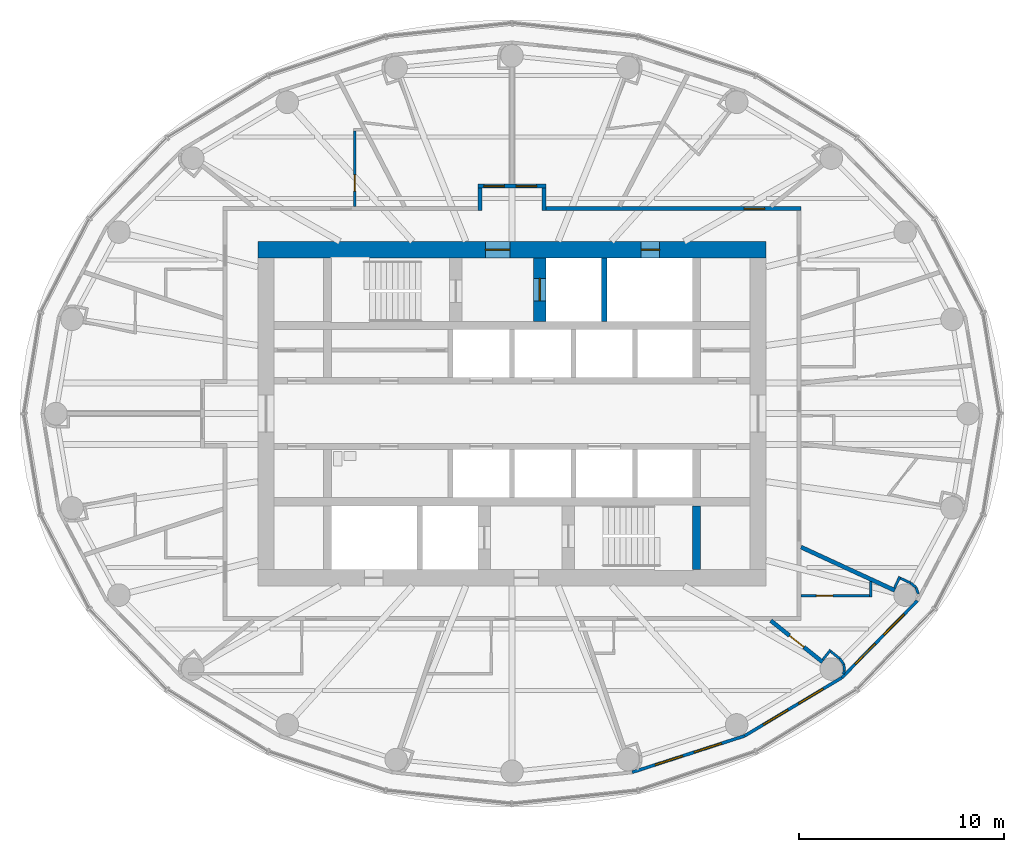
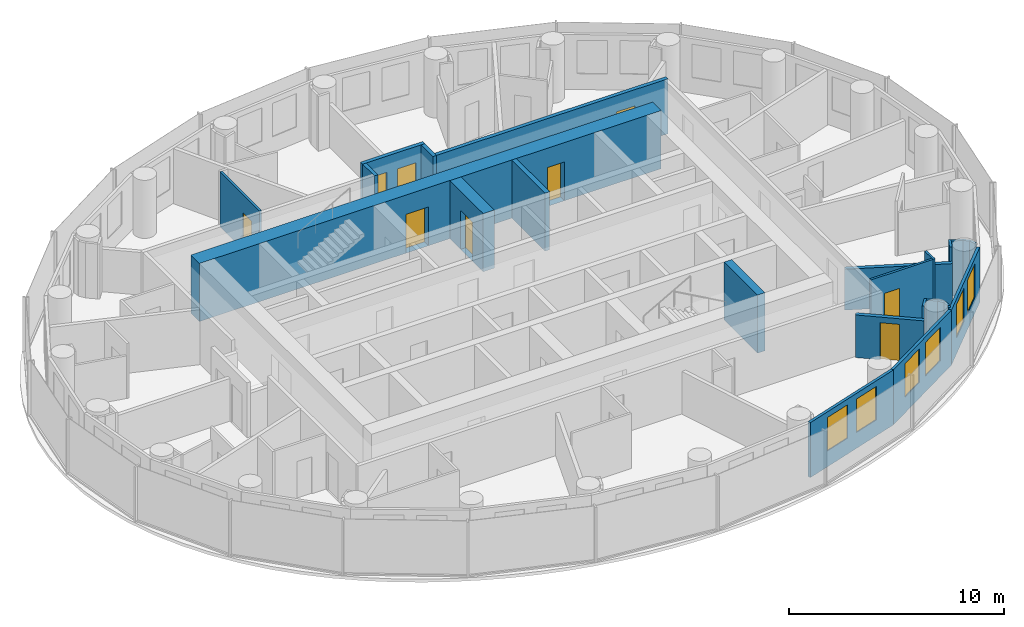
# One storey, part 10 of 16: 25 walls, 9 doors, 6 windows, 15 openings.
"""IFC4 building model written with IfcOpenShell, lengths in metres."""

from ifc_helpers import new_model, si_unit, direction, frame, frame_2d, origin, place, context, subcontext, project, spatial, rectangle, extrude, material, layer, layer_set, type_object, element, fill, save


model = new_model("IFC4")

# Units and contexts
model_context = context("Model", 3, precision=1e-05, world=origin(), true_north=direction((0.0, 1.0)))
body_context = subcontext(model_context, "Body", "Model", "MODEL_VIEW")
ifc_project = project(units=[si_unit("LENGTHUNIT", "METRE"), si_unit("AREAUNIT", "SQUARE_METRE"), si_unit("VOLUMEUNIT", "CUBIC_METRE"), si_unit("PLANEANGLEUNIT", "RADIAN"), si_unit("MASSUNIT", "GRAM", prefix="KILO")], contexts=[model_context])

# Site, building, storey
site_placement = place(None, origin())
site = spatial("IfcSite", under=ifc_project, at=site_placement, CompositionType="ELEMENT")
building_placement = place(site_placement, origin())
building = spatial("IfcBuilding", under=site, at=building_placement, Name="Hankou Lantern Tower", CompositionType="ELEMENT")
storey_placement = place(building_placement, frame((0.0, 0.0, 169.800048828125)))
storey = spatial("IfcBuildingStorey", under=building, at=storey_placement, Name="L45", CompositionType="ELEMENT", Elevation=169.800048828125)

# Wall, openings, doors
ifc_material_1 = material(Name="Concrete C60", Category="concrete")
ifc_layer_1 = layer(ifc_material_1, 0.800048828125)
ifc_layer_set_1 = layer_set([ifc_layer_1], Name="Concrete C60")
wall_type_1 = type_object("IfcWallType", Name="CW2 CORE WALL 800", PredefinedType="SHEAR", material=ifc_layer_set_1)
wall_1_placement = place(storey_placement, frame((-12.39990234375, 8.0, 0.0), z_axis=(0.0, 0.0, 1.0), x_axis=(1.0, 0.0, 0.0)))
wall_1 = element("IfcWall", 1, at=wall_1_placement, inside=storey, type_object=wall_type_1, Name="Core wall north L45", PredefinedType="SHEAR", context=body_context, shape_type="SweptSolid", body=[
    extrude(rectangle(XDim=24.7998046875, YDim=0.800048828125, at=frame_2d((12.39990234375, 0.0))), origin(), (0.0, 0.0, 1.0), 3.300048828125),
])
opening_1_placement = place(wall_1_placement, frame((11.10009765625, 0.0, 0.0)))
opening_1 = element("IfcOpeningElement", 2, at=opening_1_placement, cuts=wall_1, Name="Opening D5", PredefinedType="OPENING", context=body_context, shape_type="SweptSolid", body=[
    extrude(rectangle(XDim=1.199951171875, YDim=2.199951171875, at=frame_2d((0.60009765625, 1.10009765625))), frame((0.0, 0.409912109375, 0.0), z_axis=(0.0, -1.0, 0.0), x_axis=(1.0, 0.0, 0.0)), (0.0, 0.0, 1.0), 0.820068359375),
])
opening_2_placement = place(wall_1_placement, frame((18.699951171875, 0.0, 0.0)))
opening_2 = element("IfcOpeningElement", 3, at=opening_2_placement, cuts=wall_1, Name="Opening D7", PredefinedType="OPENING", context=body_context, shape_type="SweptSolid", body=[
    extrude(rectangle(XDim=0.89990234375, YDim=2.199951171875, at=frame_2d((0.449951171875, 1.10009765625))), frame((0.0, 0.409912109375, 0.0), z_axis=(0.0, -1.0, 0.0), x_axis=(1.0, 0.0, 0.0)), (0.0, 0.0, 1.0), 0.820068359375),
])
ifc_material_2 = material(Name="Steel door leaf", Category="steel")
door_type_1 = type_object("IfcDoorType", Name="D5 STAIR LOBBY DOOR 1200X2200", OperationType="SINGLE_SWING_LEFT", PredefinedType="DOOR", material=ifc_material_2)
door_1_placement = place(opening_1_placement, origin())
door_1 = element("IfcDoor", 4, at=door_1_placement, inside=storey, type_object=door_type_1, Name="Stair A lobby door", OperationType="SINGLE_SWING_LEFT", OverallHeight=2.199951171875, OverallWidth=1.199951171875, PredefinedType="DOOR", context=body_context, shape_type="SweptSolid", body=[
    extrude(rectangle(XDim=1.199951171875, YDim=2.199951171875, at=frame_2d((0.60009765625, 1.10009765625))), frame((0.0, 0.02490234375, 0.0), z_axis=(0.0, -1.0, 0.0), x_axis=(1.0, 0.0, 0.0)), (0.0, 0.0, 1.0), 0.050048828125),
])
fill(opening_1, door_1)
ifc_material_3 = material(Name="Steel door leaf", Category="steel")
door_type_2 = type_object("IfcDoorType", Name="D7 RISER DOOR 900X2200", OperationType="SINGLE_SWING_LEFT", PredefinedType="DOOR", material=ifc_material_3)
door_2_placement = place(opening_2_placement, origin())
door_2 = element("IfcDoor", 5, at=door_2_placement, inside=storey, type_object=door_type_2, Name="Riser N1 door", OperationType="SINGLE_SWING_RIGHT", OverallHeight=2.199951171875, OverallWidth=0.89990234375, PredefinedType="DOOR", context=body_context, shape_type="SweptSolid", body=[
    extrude(rectangle(XDim=0.89990234375, YDim=2.199951171875, at=frame_2d((0.449951171875, 1.10009765625))), frame((0.0, 0.02490234375, 0.0), z_axis=(0.0, -1.0, 0.0), x_axis=(1.0, 0.0, 0.0)), (0.0, 0.0, 1.0), 0.050048828125),
])
fill(opening_2, door_2)

# Wall
ifc_material_4 = material(Name="Concrete C60", Category="concrete")
ifc_layer_2 = layer(ifc_material_4, 0.39990234375)
ifc_layer_set_2 = layer_set([ifc_layer_2], Name="Concrete C60")
wall_type_2 = type_object("IfcWallType", Name="CW4 CORE CROSS WALL 400", PredefinedType="SHEAR", material=ifc_layer_set_2)
wall_2_placement = place(storey_placement, frame((9.0, -7.60009765625, 0.0), z_axis=(0.0, 0.0, 1.0), x_axis=(0.0, 1.0, 0.0)))
element("IfcWall", 6, at=wall_2_placement, inside=storey, type_object=wall_type_2, Name="Core strip wall L45", PredefinedType="SHEAR", context=body_context, shape_type="SweptSolid", body=[
    extrude(rectangle(XDim=3.10009765625, YDim=0.39990234375, at=frame_2d((1.550048828125, 0.0))), origin(), (0.0, 0.0, 1.0), 3.300048828125),
])

# Wall, opening, door
ifc_material_5 = material(Name="Concrete C60", Category="concrete")
ifc_layer_3 = layer(ifc_material_5, 0.60009765625)
ifc_layer_set_3 = layer_set([ifc_layer_3], Name="Concrete C60")
wall_type_3 = type_object("IfcWallType", Name="CW6 STAIR AND SHAFT WALL 600", PredefinedType="SHEAR", material=ifc_layer_set_3)
wall_3_placement = place(storey_placement, frame((1.35009765625, 4.5, 0.0), z_axis=(0.0, 0.0, 1.0), x_axis=(0.0, 1.0, 0.0)))
wall_3 = element("IfcWall", 7, at=wall_3_placement, inside=storey, type_object=wall_type_3, Name="Firefighting lift shaft wall L45", PredefinedType="SHEAR", context=body_context, shape_type="SweptSolid", body=[
    extrude(rectangle(XDim=3.10009765625, YDim=0.60009765625, at=frame_2d((1.550048828125, 0.0))), origin(), (0.0, 0.0, 1.0), 3.300048828125),
])
opening_3_placement = place(wall_3_placement, frame((1.0, 0.0, 0.0)))
opening_3 = element("IfcOpeningElement", 8, at=opening_3_placement, cuts=wall_3, Name="Opening LD2", PredefinedType="OPENING", context=body_context, shape_type="SweptSolid", body=[
    extrude(rectangle(XDim=1.10009765625, YDim=2.199951171875, at=frame_2d((0.550048828125, 1.10009765625))), frame((0.0, 0.31005859375, 0.0), z_axis=(0.0, -1.0, 0.0), x_axis=(1.0, 0.0, 0.0)), (0.0, 0.0, 1.0), 0.6201171875),
])
ifc_material_6 = material(Name="Steel door leaf", Category="steel")
door_type_3 = type_object("IfcDoorType", Name="LD2 FIREFIGHTING LIFT LANDING DOOR 1100X2200", OperationType="DOUBLE_DOOR_SLIDING", PredefinedType="DOOR", material=ifc_material_6)
door_3_placement = place(opening_3_placement, origin())
door_3 = element("IfcDoor", 9, at=door_3_placement, inside=storey, type_object=door_type_3, Name="Firefighting lift FL1 landing door", OperationType="DOUBLE_DOOR_SLIDING", OverallHeight=2.199951171875, OverallWidth=1.10009765625, PredefinedType="DOOR", context=body_context, shape_type="SweptSolid", body=[
    extrude(rectangle(XDim=1.10009765625, YDim=2.199951171875, at=frame_2d((0.550048828125, 1.10009765625))), frame((0.0, 0.02490234375, 0.0), z_axis=(0.0, -1.0, 0.0), x_axis=(1.0, 0.0, 0.0)), (0.0, 0.0, 1.0), 0.050048828125),
])
fill(opening_3, door_3)

# Wall, openings, windows
ifc_material_7 = material(Name="Aluminium spandrel panel on steel studs", Category="steel")
ifc_layer_4 = layer(ifc_material_7, 0.14990234375)
ifc_layer_set_4 = layer_set([ifc_layer_4], Name="Aluminium spandrel panel on steel studs")
wall_type_4 = type_object("IfcWallType", Name="EW1 INNER SKIN WALL 150", PredefinedType="ELEMENTEDWALL", material=ifc_layer_set_4)
wall_4_placement = place(storey_placement, frame((5.8603515625, -17.497314453125, 0.0), z_axis=(0.0, 0.0, 1.0), x_axis=(0.951432482129, 0.307857486429, 0.0)))
wall_4 = element("IfcWall", 10, at=wall_4_placement, inside=storey, type_object=wall_type_4, Name="Inner skin R20-R21 L45", PredefinedType="ELEMENTEDWALL", context=body_context, shape_type="SweptSolid", body=[
    extrude(rectangle(XDim=5.76611328125, YDim=0.14990234375, at=frame_2d((2.883056640625, 0.0))), origin(), (0.0, 0.0, 1.0), 3.119873046875),
])
opening_4_placement = place(wall_4_placement, frame((1.18310546875, 0.0, 0.89990234375)))
opening_4 = element("IfcOpeningElement", 11, at=opening_4_placement, cuts=wall_4, Name="Opening W3", PredefinedType="OPENING", context=body_context, shape_type="SweptSolid", body=[
    extrude(rectangle(XDim=1.39990234375, YDim=1.89990234375, at=frame_2d((0.699951171875, 0.949951171875))), frame((0.0, 0.0849609375, 0.0), z_axis=(0.0, -1.0, 0.0), x_axis=(1.0, 0.0, 0.0)), (0.0, 0.0, 1.0), 0.169921875),
])
opening_5_placement = place(wall_4_placement, frame((3.18310546875, 0.0, 0.89990234375)))
opening_5 = element("IfcOpeningElement", 12, at=opening_5_placement, cuts=wall_4, Name="Opening W3", PredefinedType="OPENING", context=body_context, shape_type="SweptSolid", body=[
    extrude(rectangle(XDim=1.39990234375, YDim=1.89990234375, at=frame_2d((0.699951171875, 0.949951171875))), frame((0.0, 0.0849609375, 0.0), z_axis=(0.0, -1.0, 0.0), x_axis=(1.0, 0.0, 0.0)), (0.0, 0.0, 1.0), 0.169921875),
])
ifc_material_8 = material(Name="Aluminium framed double glazed window", Category="aluminium")
window_type = type_object("IfcWindowType", Name="W3 GUEST ROOM WINDOW 1400X1900", PartitioningType="DOUBLE_PANEL_VERTICAL", PredefinedType="WINDOW", material=ifc_material_8)
window_1_placement = place(opening_4_placement, origin())
window_1 = element("IfcWindow", 13, at=window_1_placement, inside=storey, type_object=window_type, Name="Window R20.1 L45", OverallHeight=1.89990234375, OverallWidth=1.39990234375, PartitioningType="SINGLE_PANEL", PredefinedType="WINDOW", context=body_context, shape_type="SweptSolid", body=[
    extrude(rectangle(XDim=1.39990234375, YDim=1.89990234375, at=frame_2d((0.699951171875, 0.949951171875))), frame((0.0, 0.030029296875, 0.0), z_axis=(0.0, -1.0, 0.0), x_axis=(1.0, 0.0, 0.0)), (0.0, 0.0, 1.0), 0.06005859375),
])
fill(opening_4, window_1)
window_2_placement = place(opening_5_placement, origin())
window_2 = element("IfcWindow", 14, at=window_2_placement, inside=storey, type_object=window_type, Name="Window R20.2 L45", OverallHeight=1.89990234375, OverallWidth=1.39990234375, PartitioningType="SINGLE_PANEL", PredefinedType="WINDOW", context=body_context, shape_type="SweptSolid", body=[
    extrude(rectangle(XDim=1.39990234375, YDim=1.89990234375, at=frame_2d((0.699951171875, 0.949951171875))), frame((0.0, 0.030029296875, 0.0), z_axis=(0.0, -1.0, 0.0), x_axis=(1.0, 0.0, 0.0)), (0.0, 0.0, 1.0), 0.06005859375),
])
fill(opening_5, window_2)

wall_5_placement = place(storey_placement, frame((11.346435546875, -15.72216796875, 0.0), z_axis=(0.0, 0.0, 1.0), x_axis=(0.857695199231, 0.514158482587, 0.0)))
wall_5 = element("IfcWall", 15, at=wall_5_placement, inside=storey, type_object=wall_type_4, Name="Inner skin R21-R22 L45", PredefinedType="ELEMENTEDWALL", context=body_context, shape_type="SweptSolid", body=[
    extrude(rectangle(XDim=5.5361328125, YDim=0.14990234375, at=frame_2d((2.76806640625, 0.0))), origin(), (0.0, 0.0, 1.0), 3.119873046875),
])
opening_6_placement = place(wall_5_placement, frame((1.068115234375, 0.0, 0.89990234375)))
opening_6 = element("IfcOpeningElement", 16, at=opening_6_placement, cuts=wall_5, Name="Opening W3", PredefinedType="OPENING", context=body_context, shape_type="SweptSolid", body=[
    extrude(rectangle(XDim=1.39990234375, YDim=1.89990234375, at=frame_2d((0.699951171875, 0.949951171875))), frame((0.0, 0.0849609375, 0.0), z_axis=(0.0, -1.0, 0.0), x_axis=(1.0, 0.0, 0.0)), (0.0, 0.0, 1.0), 0.169921875),
])
opening_7_placement = place(wall_5_placement, frame((3.068115234375, 0.0, 0.89990234375)))
opening_7 = element("IfcOpeningElement", 17, at=opening_7_placement, cuts=wall_5, Name="Opening W3", PredefinedType="OPENING", context=body_context, shape_type="SweptSolid", body=[
    extrude(rectangle(XDim=1.39990234375, YDim=1.89990234375, at=frame_2d((0.699951171875, 0.949951171875))), frame((0.0, 0.0849609375, 0.0), z_axis=(0.0, -1.0, 0.0), x_axis=(1.0, 0.0, 0.0)), (0.0, 0.0, 1.0), 0.169921875),
])
window_3_placement = place(opening_6_placement, origin())
window_3 = element("IfcWindow", 18, at=window_3_placement, inside=storey, type_object=window_type, Name="Window R21.1 L45", OverallHeight=1.89990234375, OverallWidth=1.39990234375, PartitioningType="SINGLE_PANEL", PredefinedType="WINDOW", context=body_context, shape_type="SweptSolid", body=[
    extrude(rectangle(XDim=1.39990234375, YDim=1.89990234375, at=frame_2d((0.699951171875, 0.949951171875))), frame((0.0, 0.030029296875, 0.0), z_axis=(0.0, -1.0, 0.0), x_axis=(1.0, 0.0, 0.0)), (0.0, 0.0, 1.0), 0.06005859375),
])
fill(opening_6, window_3)
window_4_placement = place(opening_7_placement, origin())
window_4 = element("IfcWindow", 19, at=window_4_placement, inside=storey, type_object=window_type, Name="Window R21.2 L45", OverallHeight=1.89990234375, OverallWidth=1.39990234375, PartitioningType="SINGLE_PANEL", PredefinedType="WINDOW", context=body_context, shape_type="SweptSolid", body=[
    extrude(rectangle(XDim=1.39990234375, YDim=1.89990234375, at=frame_2d((0.699951171875, 0.949951171875))), frame((0.0, 0.030029296875, 0.0), z_axis=(0.0, -1.0, 0.0), x_axis=(1.0, 0.0, 0.0)), (0.0, 0.0, 1.0), 0.06005859375),
])
fill(opening_7, window_4)

wall_6_placement = place(storey_placement, frame((16.0947265625, -12.875732421875, 0.0), z_axis=(0.0, 0.0, 1.0), x_axis=(0.700727467776, 0.71342905457, 0.0)))
wall_6 = element("IfcWall", 20, at=wall_6_placement, inside=storey, type_object=wall_type_4, Name="Inner skin R22-R23 L45", PredefinedType="ELEMENTEDWALL", context=body_context, shape_type="SweptSolid", body=[
    extrude(rectangle(XDim=5.247314453125, YDim=0.14990234375, at=frame_2d((2.62353515625, 0.0))), origin(), (0.0, 0.0, 1.0), 3.119873046875),
])
opening_8_placement = place(wall_6_placement, frame((0.923583984375, 0.0, 0.89990234375)))
opening_8 = element("IfcOpeningElement", 21, at=opening_8_placement, cuts=wall_6, Name="Opening W3", PredefinedType="OPENING", context=body_context, shape_type="SweptSolid", body=[
    extrude(rectangle(XDim=1.39990234375, YDim=1.89990234375, at=frame_2d((0.699951171875, 0.949951171875))), frame((0.0, 0.0849609375, 0.0), z_axis=(0.0, -1.0, 0.0), x_axis=(1.0, 0.0, 0.0)), (0.0, 0.0, 1.0), 0.169921875),
])
opening_9_placement = place(wall_6_placement, frame((2.923583984375, 0.0, 0.89990234375)))
opening_9 = element("IfcOpeningElement", 22, at=opening_9_placement, cuts=wall_6, Name="Opening W3", PredefinedType="OPENING", context=body_context, shape_type="SweptSolid", body=[
    extrude(rectangle(XDim=1.39990234375, YDim=1.89990234375, at=frame_2d((0.699951171875, 0.949951171875))), frame((0.0, 0.0849609375, 0.0), z_axis=(0.0, -1.0, 0.0), x_axis=(1.0, 0.0, 0.0)), (0.0, 0.0, 1.0), 0.169921875),
])
window_5_placement = place(opening_8_placement, origin())
window_5 = element("IfcWindow", 23, at=window_5_placement, inside=storey, type_object=window_type, Name="Window R22.1 L45", OverallHeight=1.89990234375, OverallWidth=1.39990234375, PartitioningType="SINGLE_PANEL", PredefinedType="WINDOW", context=body_context, shape_type="SweptSolid", body=[
    extrude(rectangle(XDim=1.39990234375, YDim=1.89990234375, at=frame_2d((0.699951171875, 0.949951171875))), frame((0.0, 0.030029296875, 0.0), z_axis=(0.0, -1.0, 0.0), x_axis=(1.0, 0.0, 0.0)), (0.0, 0.0, 1.0), 0.06005859375),
])
fill(opening_8, window_5)
window_6_placement = place(opening_9_placement, origin())
window_6 = element("IfcWindow", 24, at=window_6_placement, inside=storey, type_object=window_type, Name="Window R22.2 L45", OverallHeight=1.89990234375, OverallWidth=1.39990234375, PartitioningType="SINGLE_PANEL", PredefinedType="WINDOW", context=body_context, shape_type="SweptSolid", body=[
    extrude(rectangle(XDim=1.39990234375, YDim=1.89990234375, at=frame_2d((0.699951171875, 0.949951171875))), frame((0.0, 0.030029296875, 0.0), z_axis=(0.0, -1.0, 0.0), x_axis=(1.0, 0.0, 0.0)), (0.0, 0.0, 1.0), 0.06005859375),
])
fill(opening_9, window_6)

# Wall
ifc_material_9 = material(Name="Masonry lightweight concrete block", Category="masonry")
ifc_layer_5 = layer(ifc_material_9, 0.199951171875)
ifc_layer_set_5 = layer_set([ifc_layer_5], Name="Masonry lightweight concrete block")
wall_type_5 = type_object("IfcWallType", Name="IW1 GUEST ROOM PARTY WALL 200", PredefinedType="PARTITIONING", material=ifc_layer_set_5)
wall_7_placement = place(storey_placement, frame((14.10009765625, -6.512451171875, 0.0), z_axis=(0.0, 0.0, 1.0), x_axis=(0.907823150669, -0.419353224751, 0.0)))
element("IfcWall", 25, at=wall_7_placement, inside=storey, type_object=wall_type_5, Name="Party wall R23", PredefinedType="PARTITIONING", context=body_context, shape_type="SweptSolid", body=[
    extrude(rectangle(XDim=5.037109375, YDim=0.199951171875, at=frame_2d((2.5185546875, 0.0))), origin(), (0.0, 0.0, 1.0), 2.320068359375),
])

# Wall, openings, doors
ifc_material_10 = material(Name="Masonry lightweight concrete block", Category="masonry")
ifc_layer_6 = layer(ifc_material_10, 0.199951171875)
ifc_layer_set_6 = layer_set([ifc_layer_6], Name="Masonry lightweight concrete block")
wall_type_6 = type_object("IfcWallType", Name="IW2 CORRIDOR WALL 200", PredefinedType="PARTITIONING", material=ifc_layer_set_6)
wall_8_placement = place(storey_placement, frame((-1.669921875, 11.10009765625, 0.0), z_axis=(0.0, 0.0, 1.0), x_axis=(1.0, 0.0, 0.0)))
wall_8 = element("IfcWall", 26, at=wall_8_placement, inside=storey, type_object=wall_type_6, Name="Corridor alcove wall 4508-4509 back", PredefinedType="PARTITIONING", context=body_context, shape_type="SweptSolid", body=[
    extrude(rectangle(XDim=3.33984375, YDim=0.199951171875, at=frame_2d((1.669921875, 0.0))), origin(), (0.0, 0.0, 1.0), 3.119873046875),
])
opening_10_placement = place(wall_8_placement, frame((1.8701171875, 0.0, 0.0)))
opening_10 = element("IfcOpeningElement", 27, at=opening_10_placement, cuts=wall_8, Name="Opening D1", PredefinedType="OPENING", context=body_context, shape_type="SweptSolid", body=[
    extrude(rectangle(XDim=1.0, YDim=2.199951171875, at=frame_2d((0.5, 1.10009765625))), frame((0.0, 0.10986328125, 0.0), z_axis=(0.0, -1.0, 0.0), x_axis=(1.0, 0.0, 0.0)), (0.0, 0.0, 1.0), 0.219970703125),
])
opening_11_placement = place(wall_8_placement, frame((0.300048828125, 0.0, 0.0)))
opening_11 = element("IfcOpeningElement", 28, at=opening_11_placement, cuts=wall_8, Name="Opening D1", PredefinedType="OPENING", context=body_context, shape_type="SweptSolid", body=[
    extrude(rectangle(XDim=1.0, YDim=2.199951171875, at=frame_2d((0.5, 1.10009765625))), frame((0.0, 0.10986328125, 0.0), z_axis=(0.0, -1.0, 0.0), x_axis=(1.0, 0.0, 0.0)), (0.0, 0.0, 1.0), 0.219970703125),
])
ifc_material_11 = material(Name="Steel door leaf", Category="steel")
door_type_4 = type_object("IfcDoorType", Name="D1 GUEST ROOM DOOR 1000X2200", OperationType="SINGLE_SWING_LEFT", PredefinedType="DOOR", material=ifc_material_11)
door_4_placement = place(opening_10_placement, origin())
door_4 = element("IfcDoor", 29, at=door_4_placement, inside=storey, type_object=door_type_4, Name="Guest room door 4508", OperationType="SINGLE_SWING_LEFT", OverallHeight=2.199951171875, OverallWidth=1.0, PredefinedType="DOOR", context=body_context, shape_type="SweptSolid", body=[
    extrude(rectangle(XDim=1.0, YDim=2.199951171875, at=frame_2d((0.5, 1.10009765625))), frame((0.0, 0.02490234375, 0.0), z_axis=(0.0, -1.0, 0.0), x_axis=(1.0, 0.0, 0.0)), (0.0, 0.0, 1.0), 0.050048828125),
])
fill(opening_10, door_4)
door_5_placement = place(opening_11_placement, origin())
door_5 = element("IfcDoor", 30, at=door_5_placement, inside=storey, type_object=door_type_4, Name="Guest room door 4509", OperationType="SINGLE_SWING_RIGHT", OverallHeight=2.199951171875, OverallWidth=1.0, PredefinedType="DOOR", context=body_context, shape_type="SweptSolid", body=[
    extrude(rectangle(XDim=1.0, YDim=2.199951171875, at=frame_2d((0.5, 1.10009765625))), frame((0.0, 0.02490234375, 0.0), z_axis=(0.0, -1.0, 0.0), x_axis=(1.0, 0.0, 0.0)), (0.0, 0.0, 1.0), 0.050048828125),
])
fill(opening_11, door_5)

# Walls
for number, where, z_axis, x_axis, name in (
    (31, (-1.570068359375, 9.89990234375, 0.0), (0.0, 0.0, 1.0), (0.0, 1.0, 0.0), "Corridor alcove wall 4508-4509 left"),
    (32, (1.570068359375, 9.89990234375, 0.0), (0.0, 0.0, 1.0), (0.0, 1.0, 0.0), "Corridor alcove wall 4508-4509 right"),
):
    element("IfcWall", number, at=place(storey_placement, frame(where, z_axis=z_axis, x_axis=x_axis)), inside=storey, type_object=wall_type_6, Name=name, PredefinedType="PARTITIONING", context=body_context, shape_type="SweptSolid", body=[
        extrude(rectangle(XDim=1.10009765625, YDim=0.199951171875, at=frame_2d((0.550048828125, 0.0))), origin(), (0.0, 0.0, 1.0), 3.119873046875),
    ])

# Wall, opening, door
wall_9_placement = place(storey_placement, frame((1.669921875, 10.0, 0.0), z_axis=(0.0, 0.0, 1.0), x_axis=(1.0, 0.0, 0.0)))
wall_9 = element("IfcWall", 33, at=wall_9_placement, inside=storey, type_object=wall_type_6, Name="Corridor wall north", PredefinedType="PARTITIONING", context=body_context, shape_type="SweptSolid", body=[
    extrude(rectangle(XDim=12.43017578125, YDim=0.199951171875, at=frame_2d((6.215087890625, 0.0))), origin(), (0.0, 0.0, 1.0), 3.119873046875),
])
opening_12_placement = place(wall_9_placement, frame((9.655029296875, 0.0, 0.0)))
opening_12 = element("IfcOpeningElement", 34, at=opening_12_placement, cuts=wall_9, Name="Opening D1", PredefinedType="OPENING", context=body_context, shape_type="SweptSolid", body=[
    extrude(rectangle(XDim=1.0, YDim=2.199951171875, at=frame_2d((0.5, 1.10009765625))), frame((0.0, 0.10986328125, 0.0), z_axis=(0.0, -1.0, 0.0), x_axis=(1.0, 0.0, 0.0)), (0.0, 0.0, 1.0), 0.219970703125),
])
door_6_placement = place(opening_12_placement, origin())
door_6 = element("IfcDoor", 35, at=door_6_placement, inside=storey, type_object=door_type_4, Name="Guest room door 4507", OperationType="SINGLE_SWING_LEFT", OverallHeight=2.199951171875, OverallWidth=1.0, PredefinedType="DOOR", context=body_context, shape_type="SweptSolid", body=[
    extrude(rectangle(XDim=1.0, YDim=2.199951171875, at=frame_2d((0.5, 1.10009765625))), frame((0.0, 0.02490234375, 0.0), z_axis=(0.0, -1.0, 0.0), x_axis=(1.0, 0.0, 0.0)), (0.0, 0.0, 1.0), 0.050048828125),
])
fill(opening_12, door_6)

# Wall
ifc_material_12 = material(Name="Masonry lightweight concrete block", Category="masonry")
ifc_layer_7 = layer(ifc_material_12, 0.1201171875)
ifc_layer_set_7 = layer_set([ifc_layer_7], Name="Masonry lightweight concrete block")
wall_type_7 = type_object("IfcWallType", Name="IW3 BATHROOM WALL 120", PredefinedType="PARTITIONING", material=ifc_layer_set_7)
wall_10_placement = place(storey_placement, frame((17.5, -8.182861328125, 0.0), z_axis=(0.0, 0.0, 1.0), x_axis=(0.0, -1.0, 0.0)))
element("IfcWall", 36, at=wall_10_placement, inside=storey, type_object=wall_type_7, Name="Box wall 4503A 1", PredefinedType="PARTITIONING", context=body_context, shape_type="SweptSolid", body=[
    extrude(rectangle(XDim=0.76953125, YDim=0.1201171875, at=frame_2d((0.384765625, 0.0))), origin(), (0.0, 0.0, 1.0), 3.119873046875),
])

# Wall, opening, door
wall_11_placement = place(storey_placement, frame((14.10009765625, -8.892578125, 0.0), z_axis=(0.0, 0.0, 1.0), x_axis=(1.0, 0.0, 0.0)))
wall_11 = element("IfcWall", 37, at=wall_11_placement, inside=storey, type_object=wall_type_7, Name="Box wall 4503A 1", PredefinedType="PARTITIONING", context=body_context, shape_type="SweptSolid", body=[
    extrude(rectangle(XDim=3.33984375, YDim=0.1201171875, at=frame_2d((1.669921875, 0.0))), origin(), (0.0, 0.0, 1.0), 3.119873046875),
])
opening_13_placement = place(wall_11_placement, frame((0.75, 0.0, 0.0)))
opening_13 = element("IfcOpeningElement", 38, at=opening_13_placement, cuts=wall_11, Name="Opening D3", PredefinedType="OPENING", context=body_context, shape_type="SweptSolid", body=[
    extrude(rectangle(XDim=0.800048828125, YDim=2.10009765625, at=frame_2d((0.39990234375, 1.050048828125))), frame((0.0, 0.070068359375, 0.0), z_axis=(0.0, -1.0, 0.0), x_axis=(1.0, 0.0, 0.0)), (0.0, 0.0, 1.0), 0.14013671875),
])
ifc_material_13 = material(Name="Timber door leaf", Category="wood")
door_type_5 = type_object("IfcDoorType", Name="D3 BATHROOM DOOR 800X2100", OperationType="SINGLE_SWING_LEFT", PredefinedType="DOOR", material=ifc_material_13)
door_7_placement = place(opening_13_placement, origin())
door_7 = element("IfcDoor", 39, at=door_7_placement, inside=storey, type_object=door_type_5, Name="Corner suite 4503 bathroom door", OperationType="SINGLE_SWING_LEFT", OverallHeight=2.10009765625, OverallWidth=0.800048828125, PredefinedType="DOOR", context=body_context, shape_type="SweptSolid", body=[
    extrude(rectangle(XDim=0.800048828125, YDim=2.10009765625, at=frame_2d((0.39990234375, 1.050048828125))), frame((0.0, 0.02490234375, 0.0), z_axis=(0.0, -1.0, 0.0), x_axis=(1.0, 0.0, 0.0)), (0.0, 0.0, 1.0), 0.050048828125),
])
fill(opening_13, door_7)

wall_12_placement = place(storey_placement, frame((-7.670166015625, 10.10009765625, 0.0), z_axis=(0.0, 0.0, 1.0), x_axis=(0.0, 1.0, 0.0)))
wall_12 = element("IfcWall", 40, at=wall_12_placement, inside=storey, type_object=wall_type_7, Name="Box wall 4510 1", PredefinedType="PARTITIONING", context=body_context, shape_type="SweptSolid", body=[
    extrude(rectangle(XDim=3.68994140625, YDim=0.1201171875, at=frame_2d((1.844970703125, 0.0))), origin(), (0.0, 0.0, 1.0), 3.119873046875),
])
opening_14_placement = place(wall_12_placement, frame((0.75, 0.0, 0.0)))
opening_14 = element("IfcOpeningElement", 41, at=opening_14_placement, cuts=wall_12, Name="Opening D3", PredefinedType="OPENING", context=body_context, shape_type="SweptSolid", body=[
    extrude(rectangle(XDim=0.800048828125, YDim=2.10009765625, at=frame_2d((0.39990234375, 1.050048828125))), frame((0.0, 0.070068359375, 0.0), z_axis=(0.0, -1.0, 0.0), x_axis=(1.0, 0.0, 0.0)), (0.0, 0.0, 1.0), 0.14013671875),
])
door_8_placement = place(opening_14_placement, origin())
door_8 = element("IfcDoor", 42, at=door_8_placement, inside=storey, type_object=door_type_5, Name="En-suite bathroom 4510 door", OperationType="SINGLE_SWING_LEFT", OverallHeight=2.10009765625, OverallWidth=0.800048828125, PredefinedType="DOOR", context=body_context, shape_type="SweptSolid", body=[
    extrude(rectangle(XDim=0.800048828125, YDim=2.10009765625, at=frame_2d((0.39990234375, 1.050048828125))), frame((0.0, 0.02490234375, 0.0), z_axis=(0.0, -1.0, 0.0), x_axis=(1.0, 0.0, 0.0)), (0.0, 0.0, 1.0), 0.050048828125),
])
fill(opening_14, door_8)

# Walls
ifc_material_14 = material(Name="Masonry lightweight concrete block", Category="masonry")
ifc_layer_8 = layer(ifc_material_14, 0.1201171875)
ifc_layer_set_8 = layer_set([ifc_layer_8], Name="Masonry lightweight concrete block")
wall_type_8 = type_object("IfcWallType", Name="IW4 PARTITION 120", PredefinedType="PARTITIONING", material=ifc_layer_set_8)
wall_13_placement = place(storey_placement, frame((15.162353515625, -12.001708984375, 0.0), z_axis=(0.0, 0.0, 1.0), x_axis=(0.624597762427, 0.780946627607, 0.0)))
element("IfcWall", 43, at=wall_13_placement, inside=storey, type_object=wall_type_8, Name="Column casing R22 return", PredefinedType="PARTITIONING", context=body_context, shape_type="SweptSolid", body=[
    extrude(rectangle(XDim=0.612060546875, YDim=0.1201171875, at=frame_2d((0.30615234375, 0.0))), origin(), (0.0, 0.0, 1.0), 3.119873046875),
])
wall_14_placement = place(storey_placement, frame((15.55419921875, -11.60791015625, 0.0), z_axis=(0.0, 0.0, 1.0), x_axis=(0.780695577787, -0.624911525597, 0.0)))
element("IfcWall", 44, at=wall_14_placement, inside=storey, type_object=wall_type_8, Name="Column casing R22", PredefinedType="PARTITIONING", context=body_context, shape_type="SweptSolid", body=[
    extrude(rectangle(XDim=0.550048828125, YDim=0.1201171875, at=frame_2d((0.27490234375, 0.0))), origin(), (0.0, 0.0, 1.0), 3.119873046875),
])
wall_15_placement = place(storey_placement, frame((15.983642578125, -11.95166015625, 0.0), z_axis=(0.0, 0.0, 1.0), x_axis=(0.592335221171, -0.805691619517, 0.0)))
element("IfcWall", 45, at=wall_15_placement, inside=storey, type_object=wall_type_8, Name="Column casing R22", PredefinedType="PARTITIONING", context=body_context, shape_type="SweptSolid", body=[
    extrude(rectangle(XDim=0.337646484375, YDim=0.1201171875, at=frame_2d((0.1689453125, 0.0))), origin(), (0.0, 0.0, 1.0), 3.119873046875),
])
wall_16_placement = place(storey_placement, frame((16.18359375, -12.2236328125, 0.0), z_axis=(0.0, 0.0, 1.0), x_axis=(0.110669692975, -0.993857242795, 0.0)))
element("IfcWall", 46, at=wall_16_placement, inside=storey, type_object=wall_type_8, Name="Column casing R22", PredefinedType="PARTITIONING", context=body_context, shape_type="SweptSolid", body=[
    extrude(rectangle(XDim=0.33740234375, YDim=0.1201171875, at=frame_2d((0.168701171875, 0.0))), origin(), (0.0, 0.0, 1.0), 3.119873046875),
])
wall_17_placement = place(storey_placement, frame((16.220947265625, -12.55908203125, 0.0), z_axis=(0.0, 0.0, 1.0), x_axis=(-0.401064416249, -0.916049853457, 0.0)))
element("IfcWall", 47, at=wall_17_placement, inside=storey, type_object=wall_type_8, Name="Column casing R22", PredefinedType="PARTITIONING", context=body_context, shape_type="SweptSolid", body=[
    extrude(rectangle(XDim=0.156494140625, YDim=0.1201171875, at=frame_2d((0.078125, 0.0))), origin(), (0.0, 0.0, 1.0), 3.119873046875),
])
wall_18_placement = place(storey_placement, frame((18.660400390625, -8.5087890625, 0.0), z_axis=(0.0, 0.0, 1.0), x_axis=(0.419083463716, 0.907947713494, 0.0)))
element("IfcWall", 48, at=wall_18_placement, inside=storey, type_object=wall_type_8, Name="Column casing R23 return", PredefinedType="PARTITIONING", context=body_context, shape_type="SweptSolid", body=[
    extrude(rectangle(XDim=0.6123046875, YDim=0.1201171875, at=frame_2d((0.30615234375, 0.0))), origin(), (0.0, 0.0, 1.0), 3.119873046875),
])
wall_19_placement = place(storey_placement, frame((18.9462890625, -8.032470703125, 0.0), z_axis=(0.0, 0.0, 1.0), x_axis=(0.907842467956, -0.419311403822, 0.0)))
element("IfcWall", 49, at=wall_19_placement, inside=storey, type_object=wall_type_8, Name="Column casing R23", PredefinedType="PARTITIONING", context=body_context, shape_type="SweptSolid", body=[
    extrude(rectangle(XDim=0.55029296875, YDim=0.1201171875, at=frame_2d((0.275146484375, 0.0))), origin(), (0.0, 0.0, 1.0), 3.119873046875),
])
wall_20_placement = place(storey_placement, frame((19.44580078125, -8.26318359375, 0.0), z_axis=(0.0, 0.0, 1.0), x_axis=(0.768221279597, -0.640184399664, 0.0)))
element("IfcWall", 50, at=wall_20_placement, inside=storey, type_object=wall_type_8, Name="Column casing R23", PredefinedType="PARTITIONING", context=body_context, shape_type="SweptSolid", body=[
    extrude(rectangle(XDim=0.33740234375, YDim=0.1201171875, at=frame_2d((0.168701171875, 0.0))), origin(), (0.0, 0.0, 1.0), 3.119873046875),
])
wall_21_placement = place(storey_placement, frame((19.705078125, -8.479248046875, 0.0), z_axis=(0.0, 0.0, 1.0), x_axis=(0.345571344575, -0.938392479621, 0.0)))
element("IfcWall", 51, at=wall_21_placement, inside=storey, type_object=wall_type_8, Name="Column casing R23", PredefinedType="PARTITIONING", context=body_context, shape_type="SweptSolid", body=[
    extrude(rectangle(XDim=0.337646484375, YDim=0.1201171875, at=frame_2d((0.1689453125, 0.0))), origin(), (0.0, 0.0, 1.0), 3.119873046875),
])

# Wall, opening, door
ifc_material_15 = material(Name="Masonry lightweight concrete block", Category="masonry")
ifc_layer_9 = layer(ifc_material_15, 0.199951171875)
ifc_layer_set_9 = layer_set([ifc_layer_9], Name="Masonry lightweight concrete block")
wall_type_9 = type_object("IfcWallType", Name="IW6 SUITE PARTITION 200", PredefinedType="PARTITIONING", material=ifc_layer_set_9)
wall_22_placement = place(storey_placement, frame((12.625, -10.10009765625, 0.0), z_axis=(0.0, 0.0, 1.0), x_axis=(0.780876185034, -0.624685827954, 0.0)))
wall_22 = element("IfcWall", 52, at=wall_22_placement, inside=storey, type_object=wall_type_9, Name="Suite partition R22", PredefinedType="PARTITIONING", context=body_context, shape_type="SweptSolid", body=[
    extrude(rectangle(XDim=3.229248046875, YDim=0.199951171875, at=frame_2d((1.61474609375, 0.0))), origin(), (0.0, 0.0, 1.0), 2.419921875),
])
opening_15_placement = place(wall_22_placement, frame((1.169921875, 0.0, 0.0)))
opening_15 = element("IfcOpeningElement", 53, at=opening_15_placement, cuts=wall_22, Name="Opening D27", PredefinedType="OPENING", context=body_context, shape_type="SweptSolid", body=[
    extrude(rectangle(XDim=0.89990234375, YDim=2.10009765625, at=frame_2d((0.449951171875, 1.050048828125))), frame((0.0, 0.10986328125, 0.0), z_axis=(0.0, -1.0, 0.0), x_axis=(1.0, 0.0, 0.0)), (0.0, 0.0, 1.0), 0.219970703125),
])
ifc_material_16 = material(Name="Timber door leaf", Category="wood")
door_type_6 = type_object("IfcDoorType", Name="D27 INTERNAL DOOR 900X2100", OperationType="SINGLE_SWING_LEFT", PredefinedType="DOOR", material=ifc_material_16)
door_9_placement = place(opening_15_placement, origin())
door_9 = element("IfcDoor", 54, at=door_9_placement, inside=storey, type_object=door_type_6, Name="Corner suite 4503 bedroom door", OperationType="SINGLE_SWING_LEFT", OverallHeight=2.10009765625, OverallWidth=0.89990234375, PredefinedType="DOOR", context=body_context, shape_type="SweptSolid", body=[
    extrude(rectangle(XDim=0.89990234375, YDim=2.10009765625, at=frame_2d((0.449951171875, 1.050048828125))), frame((0.0, 0.02490234375, 0.0), z_axis=(0.0, -1.0, 0.0), x_axis=(1.0, 0.0, 0.0)), (0.0, 0.0, 1.0), 0.050048828125),
])
fill(opening_15, door_9)

# Wall
ifc_material_17 = material(Name="Masonry autoclaved aerated concrete block", Category="masonry")
ifc_layer_10 = layer(ifc_material_17, 0.25)
ifc_layer_set_10 = layer_set([ifc_layer_10], Name="Masonry autoclaved aerated concrete block")
wall_type_10 = type_object("IfcWallType", Name="SW1 SHAFT BLOCK WALL 250", PredefinedType="PARTITIONING", material=ifc_layer_set_10)
wall_23_placement = place(storey_placement, frame((4.5, 4.5, 0.0), z_axis=(0.0, 0.0, 1.0), x_axis=(0.0, 1.0, 0.0)))
element("IfcWall", 55, at=wall_23_placement, inside=storey, type_object=wall_type_10, Name="Riser wall L45", PredefinedType="PARTITIONING", context=body_context, shape_type="SweptSolid", body=[
    extrude(rectangle(XDim=3.10009765625, YDim=0.25, at=frame_2d((1.550048828125, 0.0))), origin(), (0.0, 0.0, 1.0), 3.300048828125),
])

save(model, "model.ifc")
